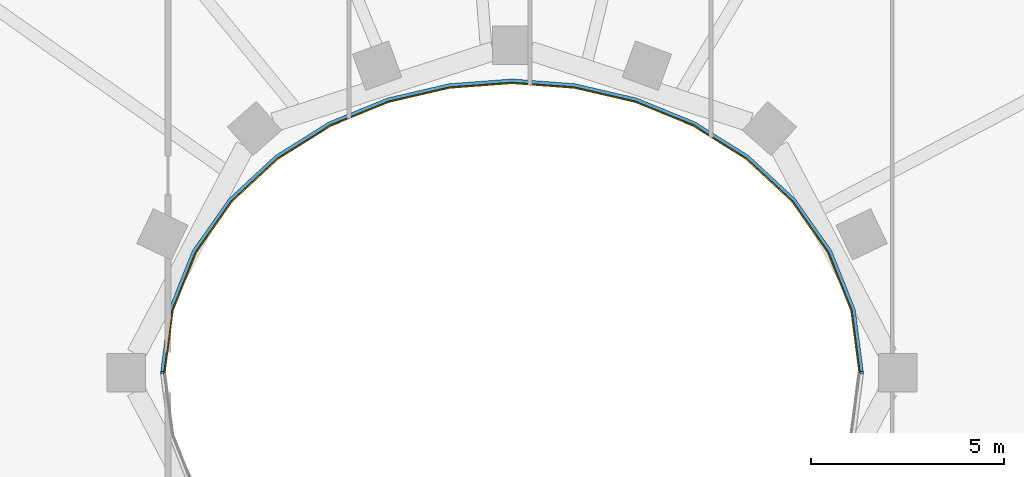
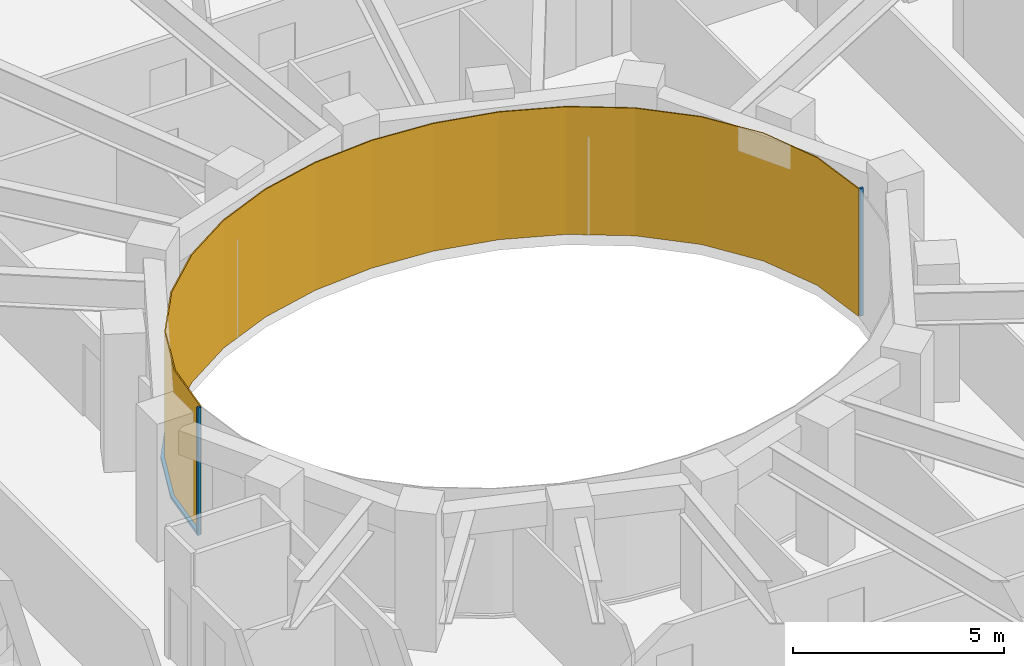
# One storey, part 12 of 16: 3 members, 1 curtain wall.
"""IFC4 building model written with IfcOpenShell, lengths in metres."""

from ifc_helpers import new_model, si_unit, direction, frame, origin, origin_2d, place, context, subcontext, project, spatial, polyline, rectangle, outline, extrude, material, layer, layer_set, material_profile, profile_set, type_object, element, aggregate, save


model = new_model("IFC4")

# Units and contexts
model_context = context("Model", 3, precision=1e-05, world=origin(), true_north=direction((0.0, 1.0)))
body_context = subcontext(model_context, "Body", "Model", "MODEL_VIEW")
ifc_project = project(units=[si_unit("LENGTHUNIT", "METRE"), si_unit("AREAUNIT", "SQUARE_METRE"), si_unit("VOLUMEUNIT", "CUBIC_METRE"), si_unit("PLANEANGLEUNIT", "RADIAN"), si_unit("MASSUNIT", "GRAM", prefix="KILO")], contexts=[model_context])

# Member
ifc_material_1 = material(Name="Steel S355 fire-resisting frame", Category="steel")
ifc_material_profile = material_profile(ifc_material_1, rectangle(XDim=0.090087890625, YDim=0.06005859375, at=origin_2d()), Name="90x60")
ifc_profile_set = profile_set([ifc_material_profile], Name="Steel S355 fire-resisting frame")
member_type_1 = type_object("IfcMemberType", Name="ENV-MULLION-W-90", PredefinedType="MULLION", material=ifc_profile_set)
site_placement = place(None, origin())
building_placement = place(site_placement, origin())
storey_placement = place(building_placement, frame((0.0, 0.0, 245.5)))
member_1_placement = place(storey_placement, frame((9.076904296875, 0.0, 0.0), z_axis=(0.0, 0.0, 1.0), x_axis=(1.0, 0.0, 0.0)))
member_1 = element("IfcMember", 1, at=member_1_placement, type_object=member_type_1, Name="Mullion W well vertex 01", PredefinedType="MULLION", context=body_context, shape_type="SweptSolid", body=[
    extrude(rectangle(XDim=0.090087890625, YDim=0.06005859375, at=origin_2d()), origin(), (0.0, 0.0, 1.0), 3.699951171875),
])

member_2_placement = place(storey_placement, frame((-9.076904296875, 0.0, 0.0), z_axis=(0.0, 0.0, 1.0), x_axis=(-1.0, 0.0, 0.0)))
member_2 = element("IfcMember", 2, at=member_2_placement, type_object=member_type_1, Name="Mullion W well vertex 17", PredefinedType="MULLION", context=body_context, shape_type="SweptSolid", body=[
    extrude(rectangle(XDim=0.090087890625, YDim=0.06005859375, at=origin_2d()), origin(), (0.0, 0.0, 1.0), 3.699951171875),
])

ifc_material_2 = material(Name="Steel S355 fire-resisting frame", Category="steel")
member_type_2 = type_object("IfcMemberType", Name="ENV-TRANSOM-W", PredefinedType="USERDEFINED", material=ifc_material_2)
member_3_placement = place(storey_placement, origin())
member_3 = element("IfcMember", 3, at=member_3_placement, type_object=member_type_2, Name="Transom W well 01-17", ObjectType="TRANSOM", PredefinedType="USERDEFINED", context=body_context, shape_type="SweptSolid", body=[
    extrude(outline(polyline([(9.119384765625, 0.02783203125), (8.910400390625, 1.63623046875), (8.29833984375, 3.167236328125), (7.35107421875, 4.5146484375), (6.1455078125, 5.6337890625), (4.75341796875, 6.50634765625), (3.233642578125, 7.127685546875), (1.635498046875, 7.498779296875), (0.0, 7.622314453125), (-1.635498046875, 7.498779296875), (-3.233642578125, 7.127685546875), (-4.75341796875, 6.50634765625), (-6.1455078125, 5.6337890625), (-7.35107421875, 4.5146484375), (-8.29833984375, 3.167236328125), (-8.910400390625, 1.63623046875), (-9.119384765625, 0.02783203125), (-9.02880859375, 0.02783203125), (-8.822509765625, 1.61328125), (-8.21875, 3.124267578125), (-7.282958984375, 4.455078125), (-6.090576171875, 5.56201171875), (-4.712158203125, 6.426025390625), (-3.206298828125, 7.04150390625), (-1.621826171875, 7.40966796875), (0.0, 7.531982421875), (1.621826171875, 7.40966796875), (3.206298828125, 7.04150390625), (4.712158203125, 6.426025390625), (6.090576171875, 5.56201171875), (7.282958984375, 4.455078125), (8.21875, 3.124267578125), (8.822509765625, 1.61328125), (9.02880859375, 0.02783203125), (9.119384765625, 0.02783203125)])), origin(), (0.0, 0.0, 1.0), 0.080078125),
])

# Site, building, storey
site = spatial("IfcSite", under=ifc_project, at=site_placement, CompositionType="ELEMENT")
building = spatial("IfcBuilding", under=site, at=building_placement, Name="Noorbagh Ring Tower", CompositionType="ELEMENT")
storey = spatial("IfcBuildingStorey", under=building, at=storey_placement, Name="L51", CompositionType="ELEMENT", Elevation=245.5)

# Curtain wall
ifc_material_3 = material(Name="Glass fire-resisting E60 laminated", Category="glass")
ifc_layer = layer(ifc_material_3, 0.031982421875)
ifc_layer_set = layer_set([ifc_layer], Name="Glass fire-resisting E60 laminated")
curtain_wall_type = type_object("IfcCurtainWallType", Name="ENV-CW-W", PredefinedType="NOTDEFINED", material=ifc_layer_set)
curtain_wall_placement = place(storey_placement, origin())
curtain_wall = element("IfcCurtainWall", 4, at=curtain_wall_placement, inside=storey, type_object=curtain_wall_type, Name="Curtain wall W W01", PredefinedType="NOTDEFINED", context=body_context, shape_type="SweptSolid", body=[
    extrude(outline(polyline([(9.0322265625, 0.0), (8.822509765625, 1.61328125), (8.21875, 3.124267578125), (7.282958984375, 4.455078125), (6.090576171875, 5.56201171875), (4.712158203125, 6.426025390625), (3.206298828125, 7.04150390625), (1.621826171875, 7.40966796875), (0.0, 7.531982421875), (-1.621826171875, 7.40966796875), (-3.206298828125, 7.04150390625), (-4.712158203125, 6.426025390625), (-6.090576171875, 5.56201171875), (-7.282958984375, 4.455078125), (-8.21875, 3.124267578125), (-8.822509765625, 1.61328125), (-9.0322265625, 0.0), (-9.0, 0.0), (-8.79150390625, 1.605224609375), (-8.1904296875, 3.10888671875), (-7.2587890625, 4.43408203125), (-6.071044921875, 5.53662109375), (-4.697509765625, 6.3974609375), (-3.196533203125, 7.010986328125), (-1.6171875, 7.3779296875), (0.0, 7.5), (1.6171875, 7.3779296875), (3.196533203125, 7.010986328125), (4.697509765625, 6.3974609375), (6.071044921875, 5.53662109375), (7.2587890625, 4.43408203125), (8.1904296875, 3.10888671875), (8.79150390625, 1.605224609375), (9.0, 0.0), (9.0322265625, 0.0)])), origin(), (0.0, 0.0, 1.0), 3.699951171875),
])

aggregate(curtain_wall, [member_1, member_2, member_3])

save(model, "model.ifc")
